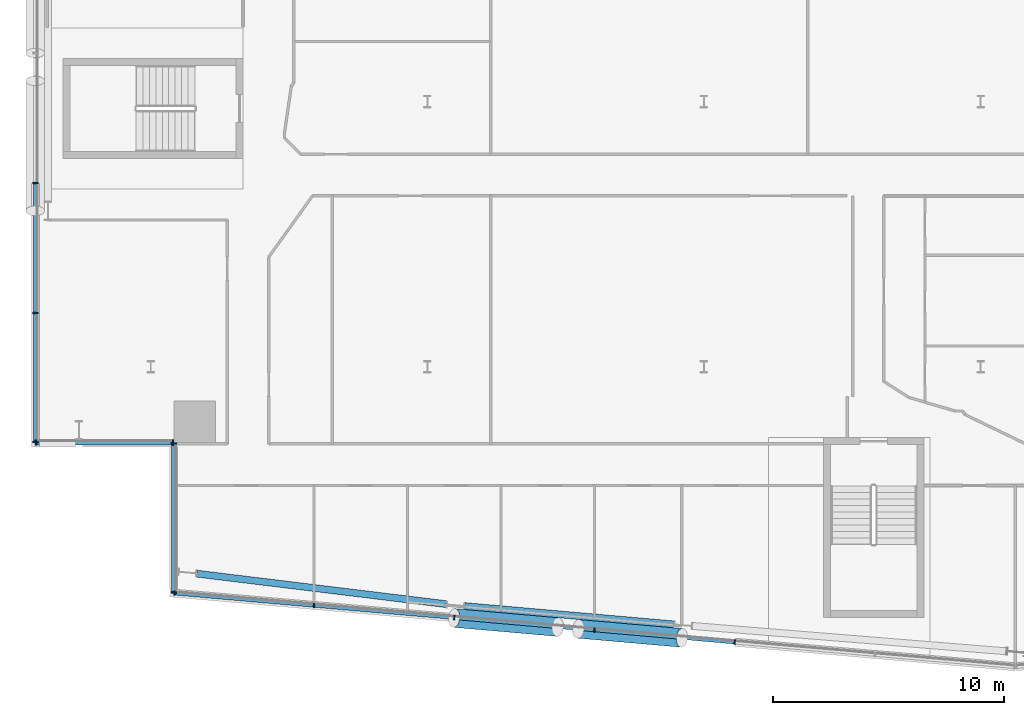
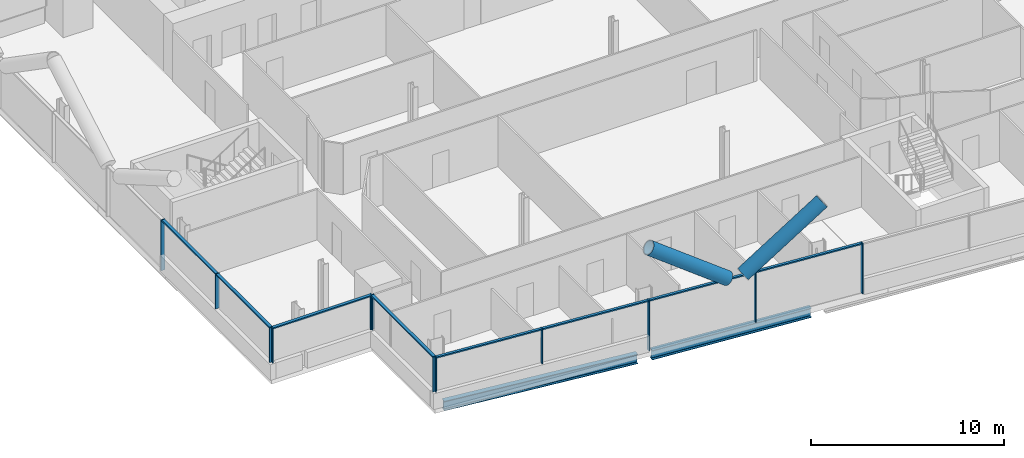
# One storey, part 5 of 28: 22 members, 2 beams, 4 elements without a shape of their own.
"""IFC4 building model written with IfcOpenShell, lengths in metres."""

from ifc_helpers import new_model, si_unit, direction, frame, origin, origin_2d, place, context, subcontext, project, spatial, rectangle, hollow_circle, i_section, extrude, material, material_profile, profile_set, type_object, element, aggregate, save


model = new_model("IFC4")

# Units and contexts
model_context = context("Model", 3, precision=1e-05, world=origin(), true_north=direction((0.0, 1.0)))
body_context = subcontext(model_context, "Body", "Model", "MODEL_VIEW")
ifc_project = project(units=[si_unit("LENGTHUNIT", "METRE"), si_unit("AREAUNIT", "SQUARE_METRE"), si_unit("VOLUMEUNIT", "CUBIC_METRE"), si_unit("PLANEANGLEUNIT", "RADIAN"), si_unit("MASSUNIT", "GRAM", prefix="KILO")], contexts=[model_context])

# Site, building, storey
site_placement = place(None, origin())
site = spatial("IfcSite", under=ifc_project, at=site_placement, CompositionType="ELEMENT")
building_placement = place(site_placement, origin())
building = spatial("IfcBuilding", under=site, at=building_placement, Name="Wharfspan Tower", CompositionType="ELEMENT")
storey_placement = place(building_placement, frame((0.0, 0.0, 132.699951)))
storey = spatial("IfcBuildingStorey", under=building, at=storey_placement, Name="L31", CompositionType="ELEMENT", Elevation=132.699951)

# Beams
ifc_material_1 = material(Name="Steel S355J2", Category="steel")
ifc_material_profile_1 = material_profile(ifc_material_1, i_section(OverallWidth=0.300049, OverallDepth=0.600098, WebThickness=0.015381, FlangeThickness=0.030029, FilletRadius=0.0271, at=origin_2d()))
ifc_profile_set_1 = profile_set([ifc_material_profile_1], Name="Steel S355J2")
beam_type = type_object("IfcBeamType", Name="Edge beam HEB 600", PredefinedType="SPANDREL", material=ifc_profile_set_1)
beam_1_placement = place(storey_placement, frame((13.990967, 2.520508, -0.699951), z_axis=(0.992611, -0.121342, 0.0), x_axis=(0.121342, 0.992611, 0.0)))
element("IfcBeam", 1, at=beam_1_placement, inside=storey, type_object=beam_type, Name="Edge beam S1 L31 PS1.1 to PS1.2", PredefinedType="SPANDREL", context=body_context, shape_type="SweptSolid", body=[
    extrude(i_section(OverallWidth=0.300049, OverallDepth=0.600098, WebThickness=0.015381, FlangeThickness=0.030029, FilletRadius=0.0271, at=origin_2d()), origin(), (0.0, 0.0, 1.0), 10.903076),
])
beam_2_placement = place(storey_placement, frame((25.615234, 1.113525, -0.699951), z_axis=(0.996195, -0.087151, 0.0), x_axis=(0.087151, 0.996195, 0.0)))
element("IfcBeam", 2, at=beam_2_placement, inside=storey, type_object=beam_type, Name="Edge beam S1 L31 PS1.2 to PS1.3", PredefinedType="SPANDREL", context=body_context, shape_type="SweptSolid", body=[
    extrude(i_section(OverallWidth=0.300049, OverallDepth=0.600098, WebThickness=0.015381, FlangeThickness=0.030029, FilletRadius=0.0271, at=origin_2d()), origin(), (0.0, 0.0, 1.0), 9.107178),
])

# Curtain wall, members
ifc_material_2 = material(Name="Aluminium 6063-T6", Category="aluminium")
curtain_wall_type_1 = type_object("IfcCurtainWallType", Name="CURTAIN WALL FACETED FRONT", PredefinedType="NOTDEFINED", material=ifc_material_2)
curtain_wall_1_placement = place(storey_placement, origin())
curtain_wall_1 = element("IfcCurtainWall", 3, at=curtain_wall_1_placement, inside=storey, type_object=curtain_wall_type_1, Name="Curtain wall S1", PredefinedType="NOTDEFINED")
ifc_material_profile_2 = material_profile(ifc_material_2, rectangle(XDim=0.199951, YDim=0.060059, at=origin_2d()))
ifc_profile_set_2 = profile_set([ifc_material_profile_2], Name="Aluminium 6063-T6")
member_type_1 = type_object("IfcMemberType", Name="MULLION FACETED FRONT 60x200", PredefinedType="MULLION", material=ifc_profile_set_2)
member_1_placement = place(storey_placement, frame((13.029785, 1.672363, 1.0), z_axis=(0.0, 0.0, 1.0), x_axis=(0.087156, 0.996198, 0.0)))
member_1 = element("IfcMember", 4, at=member_1_placement, type_object=member_type_1, Name="Curtain wall S1 mullion 1", PredefinedType="MULLION", context=body_context, shape_type="SweptSolid", body=[
    extrude(rectangle(XDim=0.199951, YDim=0.060059, at=origin_2d()), origin(), (0.0, 0.0, 1.0), 2.199951),
])
member_2_placement = place(storey_placement, frame((19.083252, 1.142822, 1.0), z_axis=(0.0, 0.0, 1.0), x_axis=(0.087156, 0.996198, 0.0)))
member_2 = element("IfcMember", 5, at=member_2_placement, type_object=member_type_1, Name="Curtain wall S1 mullion 2", PredefinedType="MULLION", context=body_context, shape_type="SweptSolid", body=[
    extrude(rectangle(XDim=0.199951, YDim=0.060059, at=origin_2d()), origin(), (0.0, 0.0, 1.0), 2.199951),
])
member_3_placement = place(storey_placement, frame((25.166748, 0.610596, 0.0), z_axis=(0.0, 0.0, 1.0), x_axis=(0.087156, 0.996198, 0.0)))
member_3 = element("IfcMember", 6, at=member_3_placement, type_object=member_type_1, Name="Curtain wall S1 mullion 3", PredefinedType="MULLION", context=body_context, shape_type="SweptSolid", body=[
    extrude(rectangle(XDim=0.199951, YDim=0.060059, at=origin_2d()), origin(), (0.0, 0.0, 1.0), 3.199951),
])
member_4_placement = place(storey_placement, frame((31.25, 0.078369, 0.0), z_axis=(0.0, 0.0, 1.0), x_axis=(0.087156, 0.996198, 0.0)))
member_4 = element("IfcMember", 7, at=member_4_placement, type_object=member_type_1, Name="Curtain wall S1 mullion 4", PredefinedType="MULLION", context=body_context, shape_type="SweptSolid", body=[
    extrude(rectangle(XDim=0.199951, YDim=0.060059, at=origin_2d()), origin(), (0.0, 0.0, 1.0), 3.199951),
])
member_5_placement = place(storey_placement, frame((37.333252, -0.453857, 0.0), z_axis=(0.0, 0.0, 1.0), x_axis=(0.087156, 0.996198, 0.0)))
member_5 = element("IfcMember", 8, at=member_5_placement, type_object=member_type_1, Name="Curtain wall S1 mullion 5", PredefinedType="MULLION", context=body_context, shape_type="SweptSolid", body=[
    extrude(rectangle(XDim=0.199951, YDim=0.060059, at=origin_2d()), origin(), (0.0, 0.0, 1.0), 3.199951),
])

curtain_wall_type_2 = type_object("IfcCurtainWallType", Name="CURTAIN WALL PROW AND END", PredefinedType="NOTDEFINED", material=ifc_material_2)
curtain_wall_2_placement = place(storey_placement, origin())
curtain_wall_2 = element("IfcCurtainWall", 9, at=curtain_wall_2_placement, inside=storey, type_object=curtain_wall_type_2, Name="Curtain wall W", PredefinedType="NOTDEFINED")
ifc_material_profile_3 = material_profile(ifc_material_2, rectangle(XDim=0.23999, YDim=0.060059, at=origin_2d()))
ifc_profile_set_3 = profile_set([ifc_material_profile_3], Name="Aluminium 6063-T6")
member_type_2 = type_object("IfcMemberType", Name="MULLION PROW AND END 60x240", PredefinedType="MULLION", material=ifc_profile_set_3)
member_6_placement = place(storey_placement, frame((7.0, 19.466553, 0.0), z_axis=(0.0, 0.0, 1.0), x_axis=(1.0, 0.0, 0.0)))
member_6 = element("IfcMember", 10, at=member_6_placement, type_object=member_type_2, Name="Curtain wall W mullion 5", PredefinedType="MULLION", context=body_context, shape_type="SweptSolid", body=[
    extrude(rectangle(XDim=0.23999, YDim=0.060059, at=origin_2d()), origin(), (0.0, 0.0, 1.0), 3.199951),
])
member_7_placement = place(storey_placement, frame((7.0, 13.833252, 1.0), z_axis=(0.0, 0.0, 1.0), x_axis=(1.0, 0.0, 0.0)))
member_7 = element("IfcMember", 11, at=member_7_placement, type_object=member_type_2, Name="Curtain wall W mullion 6", PredefinedType="MULLION", context=body_context, shape_type="SweptSolid", body=[
    extrude(rectangle(XDim=0.23999, YDim=0.060059, at=origin_2d()), origin(), (0.0, 0.0, 1.0), 2.199951),
])
member_8_placement = place(storey_placement, frame((7.0, 8.22998, 1.0), z_axis=(0.0, 0.0, 1.0), x_axis=(1.0, 0.0, 0.0)))
member_8 = element("IfcMember", 12, at=member_8_placement, type_object=member_type_2, Name="Curtain wall W mullion 7", PredefinedType="MULLION", context=body_context, shape_type="SweptSolid", body=[
    extrude(rectangle(XDim=0.23999, YDim=0.060059, at=origin_2d()), origin(), (0.0, 0.0, 1.0), 2.199951),
])

curtain_wall_3_placement = place(storey_placement, origin())
curtain_wall_3 = element("IfcCurtainWall", 13, at=curtain_wall_3_placement, inside=storey, type_object=curtain_wall_type_2, Name="Curtain wall NFW-H", PredefinedType="NOTDEFINED")
member_9_placement = place(storey_placement, frame((7.030029, 8.199951, 1.0), z_axis=(0.0, 0.0, 1.0), x_axis=(0.0, 1.0, 0.0)))
member_9 = element("IfcMember", 14, at=member_9_placement, type_object=member_type_2, Name="Curtain wall NFW-H mullion 1", PredefinedType="MULLION", context=body_context, shape_type="SweptSolid", body=[
    extrude(rectangle(XDim=0.23999, YDim=0.060059, at=origin_2d()), origin(), (0.0, 0.0, 1.0), 2.199951),
])
member_10_placement = place(storey_placement, frame((12.969971, 8.199951, 1.0), z_axis=(0.0, 0.0, 1.0), x_axis=(0.0, 1.0, 0.0)))
member_10 = element("IfcMember", 15, at=member_10_placement, type_object=member_type_2, Name="Curtain wall NFW-H mullion 2", PredefinedType="MULLION", context=body_context, shape_type="SweptSolid", body=[
    extrude(rectangle(XDim=0.23999, YDim=0.060059, at=origin_2d()), origin(), (0.0, 0.0, 1.0), 2.199951),
])

curtain_wall_4_placement = place(storey_placement, origin())
curtain_wall_4 = element("IfcCurtainWall", 16, at=curtain_wall_4_placement, inside=storey, type_object=curtain_wall_type_2, Name="Curtain wall NFW-V", PredefinedType="NOTDEFINED")
member_11_placement = place(storey_placement, frame((13.0, 8.169922, 1.0), z_axis=(0.0, 0.0, 1.0), x_axis=(1.0, 0.0, 0.0)))
member_11 = element("IfcMember", 17, at=member_11_placement, type_object=member_type_2, Name="Curtain wall NFW-V mullion 1", PredefinedType="MULLION", context=body_context, shape_type="SweptSolid", body=[
    extrude(rectangle(XDim=0.23999, YDim=0.060059, at=origin_2d()), origin(), (0.0, 0.0, 1.0), 2.199951),
])
member_12_placement = place(storey_placement, frame((13.0, 1.705078, 1.0), z_axis=(0.0, 0.0, 1.0), x_axis=(1.0, 0.0, 0.0)))
member_12 = element("IfcMember", 18, at=member_12_placement, type_object=member_type_2, Name="Curtain wall NFW-V mullion 2", PredefinedType="MULLION", context=body_context, shape_type="SweptSolid", body=[
    extrude(rectangle(XDim=0.23999, YDim=0.060059, at=origin_2d()), origin(), (0.0, 0.0, 1.0), 2.199951),
])

# Members
ifc_material_3 = material(Name="Steel S460NH", Category="steel")
ifc_material_profile_4 = material_profile(ifc_material_3, hollow_circle(Radius=0.406494, WallThickness=0.040039, at=origin_2d()))
ifc_profile_set_4 = profile_set([ifc_material_profile_4], Name="Steel S460NH")
member_type_3 = type_object("IfcMemberType", Name="Mega brace CHS 813x40", PredefinedType="BRACE", material=ifc_profile_set_4)
member_13_placement = place(storey_placement, frame((30.551514, 0.124512, 3.227051), z_axis=(0.806035, -0.07053, 0.58765), x_axis=(0.087168, 0.996195, 2e-06)))
element("IfcMember", 19, at=member_13_placement, inside=storey, type_object=member_type_3, Name="Mega brace S1 L31 part 2", PredefinedType="BRACE", context=body_context, shape_type="SweptSolid", body=[
    extrude(hollow_circle(Radius=0.406494, WallThickness=0.040039, at=origin_2d()), origin(), (0.0, 0.0, 1.0), 5.56958),
])
member_14_placement = place(storey_placement, frame((29.654785, 0.202881, 3.227051), z_axis=(-0.806051, 0.070528, 0.587629), x_axis=(-0.087168, -0.996193, -4e-06)))
element("IfcMember", 20, at=member_14_placement, inside=storey, type_object=member_type_3, Name="Mega brace S1 L31 part 4", PredefinedType="BRACE", context=body_context, shape_type="SweptSolid", body=[
    extrude(hollow_circle(Radius=0.406494, WallThickness=0.040039, at=origin_2d()), origin(), (0.0, 0.0, 1.0), 5.569824),
])

# Member
ifc_material_profile_5 = material_profile(ifc_material_2, rectangle(XDim=0.159912, YDim=0.080078, at=origin_2d()))
ifc_profile_set_5 = profile_set([ifc_material_profile_5], Name="Aluminium 6063-T6")
member_type_4 = type_object("IfcMemberType", Name="TRANSOM FACETED FRONT 80x160", PredefinedType="USERDEFINED", material=ifc_profile_set_5)
member_15_placement = place(storey_placement, frame((13.059814, 1.669922, 3.160156), z_axis=(0.996194, -0.087162, 0.0), x_axis=(0.087162, 0.996194, 0.0)))
member_15 = element("IfcMember", 21, at=member_15_placement, type_object=member_type_4, Name="Curtain wall S1 transom 1", ObjectType="TRANSOM", PredefinedType="USERDEFINED", context=body_context, shape_type="SweptSolid", body=[
    extrude(rectangle(XDim=0.159912, YDim=0.080078, at=origin_2d()), origin(), (0.0, 0.0, 1.0), 6.016602),
])

member_16_placement = place(storey_placement, frame((19.113281, 1.140137, 3.160156), z_axis=(0.996197, -0.087135, 0.0), x_axis=(0.087135, 0.996197, 0.0)))
member_16 = element("IfcMember", 22, at=member_16_placement, type_object=member_type_4, Name="Curtain wall S1 transom 2", ObjectType="TRANSOM", PredefinedType="USERDEFINED", context=body_context, shape_type="SweptSolid", body=[
    extrude(rectangle(XDim=0.159912, YDim=0.080078, at=origin_2d()), origin(), (0.0, 0.0, 1.0), 6.046387),
])

member_17_placement = place(storey_placement, frame((25.196533, 0.60791, 3.160156), z_axis=(0.996197, -0.087131, 0.0), x_axis=(0.087131, 0.996197, 0.0)))
member_17 = element("IfcMember", 23, at=member_17_placement, type_object=member_type_4, Name="Curtain wall S1 transom 3", ObjectType="TRANSOM", PredefinedType="USERDEFINED", context=body_context, shape_type="SweptSolid", body=[
    extrude(rectangle(XDim=0.159912, YDim=0.080078, at=origin_2d()), origin(), (0.0, 0.0, 1.0), 6.046631),
])

member_18_placement = place(storey_placement, frame((31.279785, 0.075684, 3.160156), z_axis=(0.996197, -0.087131, 0.0), x_axis=(0.087131, 0.996197, 0.0)))
member_18 = element("IfcMember", 24, at=member_18_placement, type_object=member_type_4, Name="Curtain wall S1 transom 4", ObjectType="TRANSOM", PredefinedType="USERDEFINED", context=body_context, shape_type="SweptSolid", body=[
    extrude(rectangle(XDim=0.159912, YDim=0.080078, at=origin_2d()), origin(), (0.0, 0.0, 1.0), 6.046631),
])

aggregate(curtain_wall_1, [member_1, member_2, member_3, member_4, member_5, member_15, member_16, member_17, member_18])

ifc_material_profile_6 = material_profile(ifc_material_2, rectangle(XDim=0.179932, YDim=0.080078, at=origin_2d()))
ifc_profile_set_6 = profile_set([ifc_material_profile_6], Name="Aluminium 6063-T6")
member_type_5 = type_object("IfcMemberType", Name="TRANSOM PROW AND END 80x180", PredefinedType="USERDEFINED", material=ifc_profile_set_6)
member_19_placement = place(storey_placement, frame((7.0, 19.436768, 3.160156), z_axis=(0.0, -1.0, 0.0), x_axis=(1.0, 0.0, 0.0)))
member_19 = element("IfcMember", 25, at=member_19_placement, type_object=member_type_5, Name="Curtain wall W transom 5", ObjectType="TRANSOM", PredefinedType="USERDEFINED", context=body_context, shape_type="SweptSolid", body=[
    extrude(rectangle(XDim=0.179932, YDim=0.080078, at=origin_2d()), origin(), (0.0, 0.0, 1.0), 5.573486),
])

member_20_placement = place(storey_placement, frame((7.0, 13.803223, 3.160156), z_axis=(0.0, -1.0, 0.0), x_axis=(1.0, 0.0, 0.0)))
member_20 = element("IfcMember", 26, at=member_20_placement, type_object=member_type_5, Name="Curtain wall W transom 6", ObjectType="TRANSOM", PredefinedType="USERDEFINED", context=body_context, shape_type="SweptSolid", body=[
    extrude(rectangle(XDim=0.179932, YDim=0.080078, at=origin_2d()), origin(), (0.0, 0.0, 1.0), 5.543213),
])

aggregate(curtain_wall_2, [member_6, member_7, member_8, member_19, member_20])

member_21_placement = place(storey_placement, frame((7.060059, 8.199951, 3.160156), z_axis=(1.0, 0.0, 0.0), x_axis=(0.0, 1.0, 0.0)))
member_21 = element("IfcMember", 27, at=member_21_placement, type_object=member_type_5, Name="Curtain wall NFW-H transom 1", ObjectType="TRANSOM", PredefinedType="USERDEFINED", context=body_context, shape_type="SweptSolid", body=[
    extrude(rectangle(XDim=0.179932, YDim=0.080078, at=origin_2d()), origin(), (0.0, 0.0, 1.0), 5.879883),
])

aggregate(curtain_wall_3, [member_9, member_10, member_21])

member_22_placement = place(storey_placement, frame((13.0, 8.139893, 3.160156), z_axis=(0.0, -1.0, 0.0), x_axis=(1.0, 0.0, 0.0)))
member_22 = element("IfcMember", 28, at=member_22_placement, type_object=member_type_5, Name="Curtain wall NFW-V transom 1", ObjectType="TRANSOM", PredefinedType="USERDEFINED", context=body_context, shape_type="SweptSolid", body=[
    extrude(rectangle(XDim=0.179932, YDim=0.080078, at=origin_2d()), origin(), (0.0, 0.0, 1.0), 6.404785),
])

aggregate(curtain_wall_4, [member_11, member_12, member_22])

save(model, "model.ifc")
